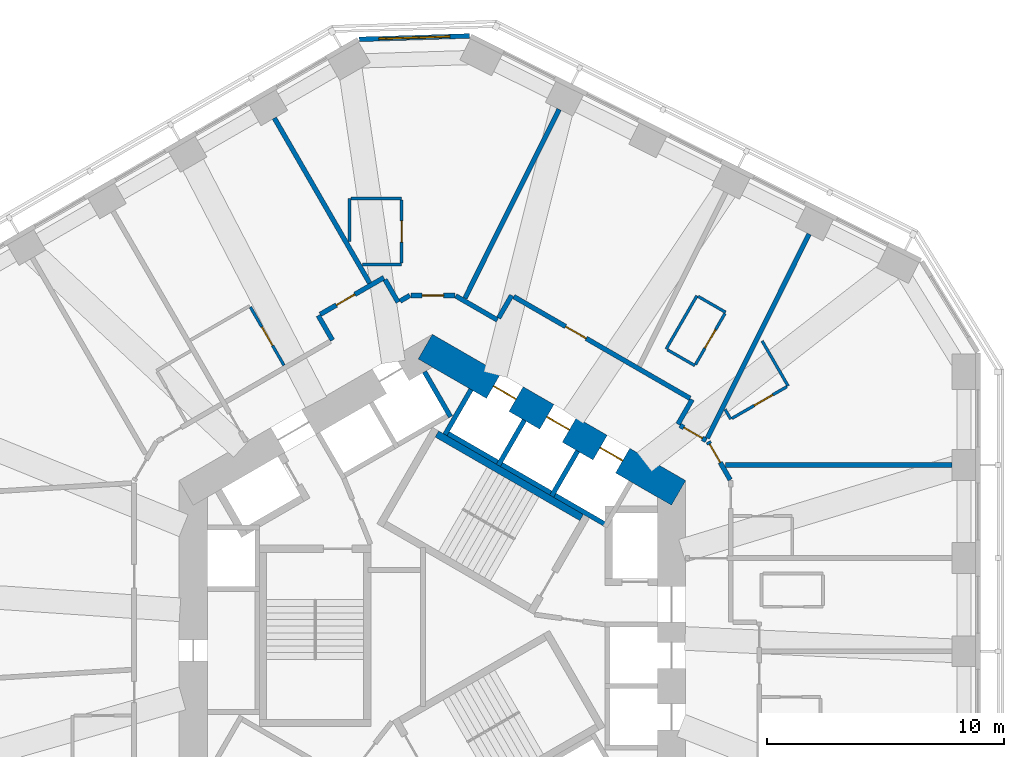
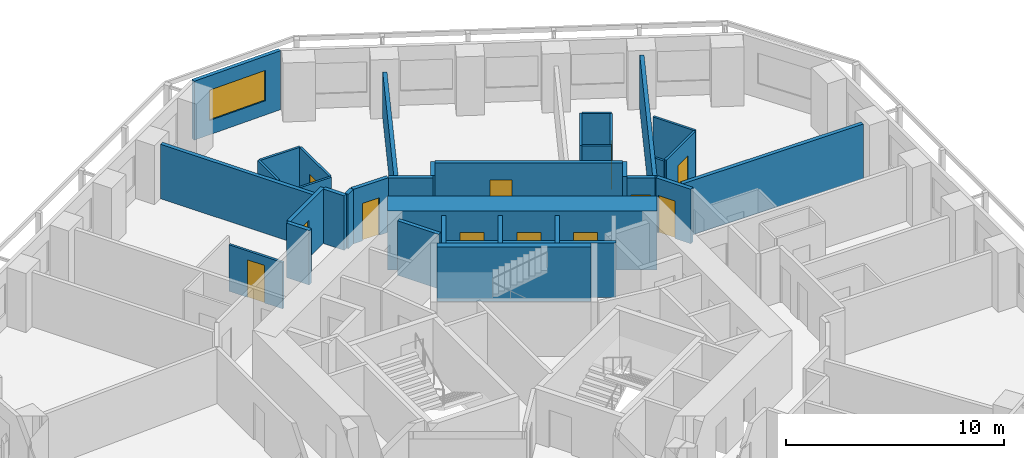
# One storey, part 8 of 12: 35 walls, 12 doors, 1 window, 13 openings.
"""IFC4 building model written with IfcOpenShell, lengths in metres."""

from ifc_helpers import new_model, si_unit, direction, frame, frame_2d, origin, place, context, subcontext, project, spatial, rectangle, extrude, material, layer, layer_set, type_object, element, fill, save


model = new_model("IFC4")

# Units and contexts
model_context = context("Model", 3, precision=1e-05, world=origin(), true_north=direction((0.0, 1.0)))
body_context = subcontext(model_context, "Body", "Model", "MODEL_VIEW")
ifc_project = project(units=[si_unit("LENGTHUNIT", "METRE"), si_unit("AREAUNIT", "SQUARE_METRE"), si_unit("VOLUMEUNIT", "CUBIC_METRE"), si_unit("PLANEANGLEUNIT", "RADIAN"), si_unit("MASSUNIT", "GRAM", prefix="KILO")], contexts=[model_context])

# Site, building, storey
site_placement = place(None, origin())
site = spatial("IfcSite", under=ifc_project, at=site_placement, CompositionType="ELEMENT")
building_placement = place(site_placement, origin())
building = spatial("IfcBuilding", under=site, at=building_placement, Name="Vanh Sen Convention Tower", CompositionType="ELEMENT")
storey_placement = place(building_placement, frame((0.0, 0.0, 50.60009765625)))
storey = spatial("IfcBuildingStorey", under=building, at=storey_placement, Name="L09", CompositionType="ELEMENT", Elevation=50.60009765625)

# Wall, opening, door
ifc_material_1 = material(Name="Moisture-resistant gypsum board on steel studs", Category="steel")
ifc_layer_1 = layer(ifc_material_1, 0.1201171875)
ifc_layer_set_1 = layer_set([ifc_layer_1], Name="Moisture-resistant gypsum board on steel studs")
wall_type_1 = type_object("IfcWallType", Name="Bathroom partition 120", PredefinedType="PARTITIONING", material=ifc_layer_set_1)
wall_1_placement = place(storey_placement, frame((-7.687255859375, 13.505615234375, 0.0), z_axis=(0.0, 0.0, 1.0), x_axis=(0.499985389037, -0.866033839264, 0.0)))
wall_1 = element("IfcWall", 1, at=wall_1_placement, inside=storey, type_object=wall_type_1, Name="Bathroom partition 120", PredefinedType="PARTITIONING", context=body_context, shape_type="SweptSolid", body=[
    extrude(rectangle(XDim=2.83984375, YDim=0.1201171875, at=frame_2d((1.419921875, 0.0))), origin(), (0.0, 0.0, 1.0), 2.599853515625),
])
opening_1_placement = place(wall_1_placement, frame((0.969970703125, 0.0, 0.0)))
opening_1 = element("IfcOpeningElement", 2, at=opening_1_placement, cuts=wall_1, Name="Opening D07115", PredefinedType="OPENING", context=body_context, shape_type="SweptSolid", body=[
    extrude(rectangle(XDim=0.89990234375, YDim=2.10009765625, at=frame_2d((0.449951171875, 1.050048828125))), frame((0.0, 0.070068359375, 0.0), z_axis=(0.0, -1.0, 0.0), x_axis=(1.0, 0.0, 0.0)), (0.0, 0.0, 1.0), 0.14013671875),
])
ifc_material_2 = material(Name="Laminate door in steel frame", Category="steel")
door_type_1 = type_object("IfcDoorType", Name="En-suite door 900", OperationType="SINGLE_SWING_LEFT", PredefinedType="DOOR", material=ifc_material_2)
door_1_placement = place(opening_1_placement, origin())
door_1 = element("IfcDoor", 3, at=door_1_placement, inside=storey, type_object=door_type_1, Name="En-suite door D07115", OperationType="SINGLE_SWING_LEFT", OverallHeight=2.10009765625, OverallWidth=0.89990234375, PredefinedType="DOOR", context=body_context, shape_type="SweptSolid", body=[
    extrude(rectangle(XDim=0.89990234375, YDim=2.10009765625, at=frame_2d((0.449951171875, 1.050048828125))), frame((0.0, 0.02490234375, 0.0), z_axis=(0.0, -1.0, 0.0), x_axis=(1.0, 0.0, 0.0)), (0.0, 0.0, 1.0), 0.050048828125),
])
fill(opening_1, door_1)

# Walls
wall_2_placement = place(storey_placement, frame((-3.5, 16.271484375, 0.0), z_axis=(0.0, 0.0, 1.0), x_axis=(0.0, 1.0, 0.0)))
element("IfcWall", 4, at=wall_2_placement, inside=storey, type_object=wall_type_1, Name="Bathroom partition 120", PredefinedType="PARTITIONING", context=body_context, shape_type="SweptSolid", body=[
    extrude(rectangle(XDim=1.8291015625, YDim=0.1201171875, at=frame_2d((0.91455078125, 0.0))), origin(), (0.0, 0.0, 1.0), 3.0498046875),
])
wall_3_placement = place(storey_placement, frame((-3.43994140625, 18.1005859375, 0.0), z_axis=(0.0, 0.0, 1.0), x_axis=(1.0, 0.0, 0.0)))
element("IfcWall", 5, at=wall_3_placement, inside=storey, type_object=wall_type_1, Name="Bathroom partition 120", PredefinedType="PARTITIONING", context=body_context, shape_type="SweptSolid", body=[
    extrude(rectangle(XDim=2.139892578125, YDim=0.1201171875, at=frame_2d((1.06982421875, 0.0))), origin(), (0.0, 0.0, 1.0), 3.0498046875),
])
wall_4_placement = place(storey_placement, frame((-1.300048828125, 15.30078125, 0.0), z_axis=(0.0, 0.0, 1.0), x_axis=(-1.0, 0.0, 0.0)))
element("IfcWall", 6, at=wall_4_placement, inside=storey, type_object=wall_type_1, Name="Bathroom partition 120", PredefinedType="PARTITIONING", context=body_context, shape_type="SweptSolid", body=[
    extrude(rectangle(XDim=1.6611328125, YDim=0.1201171875, at=frame_2d((0.83056640625, 0.0))), origin(), (0.0, 0.0, 1.0), 3.0498046875),
])

# Wall, opening, door
wall_5_placement = place(storey_placement, frame((-1.300048828125, 18.040771484375, 0.0), z_axis=(0.0, 0.0, 1.0), x_axis=(0.0, -1.0, 0.0)))
wall_5 = element("IfcWall", 7, at=wall_5_placement, inside=storey, type_object=wall_type_1, Name="Bathroom partition 120", PredefinedType="PARTITIONING", context=body_context, shape_type="SweptSolid", body=[
    extrude(rectangle(XDim=2.68017578125, YDim=0.1201171875, at=frame_2d((1.340087890625, 0.0))), origin(), (0.0, 0.0, 1.0), 3.0498046875),
])
opening_2_placement = place(wall_5_placement, frame((0.889892578125, 0.0, 0.0)))
opening_2 = element("IfcOpeningElement", 8, at=opening_2_placement, cuts=wall_5, Name="Opening D07113", PredefinedType="OPENING", context=body_context, shape_type="SweptSolid", body=[
    extrude(rectangle(XDim=0.89990234375, YDim=2.10009765625, at=frame_2d((0.449951171875, 1.050048828125))), frame((0.0, 0.070068359375, 0.0), z_axis=(0.0, -1.0, 0.0), x_axis=(1.0, 0.0, 0.0)), (0.0, 0.0, 1.0), 0.14013671875),
])
door_2_placement = place(opening_2_placement, origin())
door_2 = element("IfcDoor", 9, at=door_2_placement, inside=storey, type_object=door_type_1, Name="En-suite door D07113", OperationType="SINGLE_SWING_LEFT", OverallHeight=2.10009765625, OverallWidth=0.89990234375, PredefinedType="DOOR", context=body_context, shape_type="SweptSolid", body=[
    extrude(rectangle(XDim=0.89990234375, YDim=2.10009765625, at=frame_2d((0.449951171875, 1.050048828125))), frame((0.0, 0.02490234375, 0.0), z_axis=(0.0, -1.0, 0.0), x_axis=(1.0, 0.0, 0.0)), (0.0, 0.0, 1.0), 0.050048828125),
])
fill(opening_2, door_2)

# Walls
wall_6_placement = place(storey_placement, frame((9.87451171875, 11.736083984375, 0.0), z_axis=(0.0, 0.0, 1.0), x_axis=(0.499936506574, 0.866062058628, 0.0)))
element("IfcWall", 10, at=wall_6_placement, inside=storey, type_object=wall_type_1, Name="Bathroom partition 120", PredefinedType="PARTITIONING", context=body_context, shape_type="SweptSolid", body=[
    extrude(rectangle(XDim=2.599853515625, YDim=0.1201171875, at=frame_2d((1.2998046875, 0.0))), origin(), (0.0, 0.0, 1.0), 3.0498046875),
])
for number, where, z_axis, x_axis, name in (
    (11, (11.0869140625, 11.0361328125, 0.0), (0.0, 0.0, 1.0), (-0.866036909293, 0.499980071345, 0.0), "Bathroom partition 120"),
    (12, (11.226318359375, 13.957763671875, 0.0), (0.0, 0.0, 1.0), (0.866036909293, -0.499980071345, 0.0), "Bathroom partition 120"),
):
    element("IfcWall", number, at=place(storey_placement, frame(where, z_axis=z_axis, x_axis=x_axis)), inside=storey, type_object=wall_type_1, Name=name, PredefinedType="PARTITIONING", context=body_context, shape_type="SweptSolid", body=[
        extrude(rectangle(XDim=1.33984375, YDim=0.1201171875, at=frame_2d((0.669921875, 0.0))), origin(), (0.0, 0.0, 1.0), 3.0498046875),
    ])

# Wall, opening, door
wall_7_placement = place(storey_placement, frame((12.356689453125, 13.23583984375, 0.0), z_axis=(0.0, 0.0, 1.0), x_axis=(-0.50000366821, -0.866023285932, 0.0)))
wall_7 = element("IfcWall", 13, at=wall_7_placement, inside=storey, type_object=wall_type_1, Name="Bathroom partition 120", PredefinedType="PARTITIONING", context=body_context, shape_type="SweptSolid", body=[
    extrude(rectangle(XDim=2.47998046875, YDim=0.1201171875, at=frame_2d((1.239990234375, 0.0))), origin(), (0.0, 0.0, 1.0), 3.0498046875),
])
opening_3_placement = place(wall_7_placement, frame((0.7900390625, 0.0, 0.0)))
opening_3 = element("IfcOpeningElement", 14, at=opening_3_placement, cuts=wall_7, Name="Opening D07110", PredefinedType="OPENING", context=body_context, shape_type="SweptSolid", body=[
    extrude(rectangle(XDim=0.89990234375, YDim=2.10009765625, at=frame_2d((0.449951171875, 1.050048828125))), frame((0.0, 0.070068359375, 0.0), z_axis=(0.0, -1.0, 0.0), x_axis=(1.0, 0.0, 0.0)), (0.0, 0.0, 1.0), 0.14013671875),
])
door_3_placement = place(opening_3_placement, origin())
door_3 = element("IfcDoor", 15, at=door_3_placement, inside=storey, type_object=door_type_1, Name="En-suite door D07110", OperationType="SINGLE_SWING_LEFT", OverallHeight=2.10009765625, OverallWidth=0.89990234375, PredefinedType="DOOR", context=body_context, shape_type="SweptSolid", body=[
    extrude(rectangle(XDim=0.89990234375, YDim=2.10009765625, at=frame_2d((0.449951171875, 1.050048828125))), frame((0.0, 0.02490234375, 0.0), z_axis=(0.0, -1.0, 0.0), x_axis=(1.0, 0.0, 0.0)), (0.0, 0.0, 1.0), 0.050048828125),
])
fill(opening_3, door_3)

# Walls
wall_8_placement = place(storey_placement, frame((12.600830078125, 8.776123046875, 0.0), z_axis=(0.0, 0.0, 1.0), x_axis=(-0.500166486798, 0.865929261247, 0.0)))
element("IfcWall", 16, at=wall_8_placement, inside=storey, type_object=wall_type_1, Name="Bathroom partition 120", PredefinedType="PARTITIONING", context=body_context, shape_type="SweptSolid", body=[
    extrude(rectangle(XDim=0.475830078125, YDim=0.1201171875, at=frame_2d((0.23779296875, 0.0))), origin(), (0.0, 0.0, 1.0), 3.0498046875),
])
wall_9_placement = place(storey_placement, frame((13.92578125, 12.081298828125, 0.0), z_axis=(0.0, 0.0, 1.0), x_axis=(0.499994660107, -0.866028486751, 0.0)))
element("IfcWall", 17, at=wall_9_placement, inside=storey, type_object=wall_type_1, Name="Bathroom partition 120", PredefinedType="PARTITIONING", context=body_context, shape_type="SweptSolid", body=[
    extrude(rectangle(XDim=2.19970703125, YDim=0.1201171875, at=frame_2d((1.099853515625, 0.0))), origin(), (0.0, 0.0, 1.0), 3.0498046875),
])

# Wall, opening, door
wall_10_placement = place(storey_placement, frame((14.9736328125, 10.146240234375, 0.0), z_axis=(0.0, 0.0, 1.0), x_axis=(-0.86599746015, -0.500048396672, 0.0)))
wall_10 = element("IfcWall", 18, at=wall_10_placement, inside=storey, type_object=wall_type_1, Name="Bathroom partition 120", PredefinedType="PARTITIONING", context=body_context, shape_type="SweptSolid", body=[
    extrude(rectangle(XDim=2.679931640625, YDim=0.1201171875, at=frame_2d((1.33984375, 0.0))), origin(), (0.0, 0.0, 1.0), 3.0498046875),
])
opening_4_placement = place(wall_10_placement, frame((0.68994140625, 0.0, 0.0)))
opening_4 = element("IfcOpeningElement", 19, at=opening_4_placement, cuts=wall_10, Name="Opening D07108", PredefinedType="OPENING", context=body_context, shape_type="SweptSolid", body=[
    extrude(rectangle(XDim=0.89990234375, YDim=2.10009765625, at=frame_2d((0.449951171875, 1.050048828125))), frame((0.0, 0.070068359375, 0.0), z_axis=(0.0, -1.0, 0.0), x_axis=(1.0, 0.0, 0.0)), (0.0, 0.0, 1.0), 0.14013671875),
])
door_4_placement = place(opening_4_placement, origin())
door_4 = element("IfcDoor", 20, at=door_4_placement, inside=storey, type_object=door_type_1, Name="En-suite door D07108", OperationType="SINGLE_SWING_LEFT", OverallHeight=2.10009765625, OverallWidth=0.89990234375, PredefinedType="DOOR", context=body_context, shape_type="SweptSolid", body=[
    extrude(rectangle(XDim=0.89990234375, YDim=2.10009765625, at=frame_2d((0.449951171875, 1.050048828125))), frame((0.0, 0.02490234375, 0.0), z_axis=(0.0, -1.0, 0.0), x_axis=(1.0, 0.0, 0.0)), (0.0, 0.0, 1.0), 0.050048828125),
])
fill(opening_4, door_4)

# Wall, openings, doors
ifc_material_3 = material(Name="Concrete C80/95", Category="concrete")
ifc_layer_2 = layer(ifc_material_3, 1.199951171875)
ifc_layer_set_2 = layer_set([ifc_layer_2], Name="Concrete C80/95")
wall_type_2 = type_object("IfcWallType", Name="Core outer wall 1200 C80/95", PredefinedType="SHEAR", material=ifc_layer_set_2)
wall_11_placement = place(storey_placement, frame((10.39990234375, 5.657958984375, 0.0), z_axis=(0.0, 0.0, 1.0), x_axis=(-0.866021384402, 0.500006961711, 0.0)))
wall_11 = element("IfcWall", 21, at=wall_11_placement, inside=storey, type_object=wall_type_2, Name="Core wall face NE L09", PredefinedType="SHEAR", context=body_context, shape_type="SweptSolid", body=[
    extrude(rectangle(XDim=12.355224609375, YDim=1.199951171875, at=frame_2d((6.177734375, 0.0))), origin(), (0.0, 0.0, 1.0), 3.2998046875),
])
opening_5_placement = place(wall_11_placement, frame((2.727783203125, 0.0, 0.0)))
opening_5 = element("IfcOpeningElement", 22, at=opening_5_placement, cuts=wall_11, Name="Opening LD-LR3", PredefinedType="OPENING", context=body_context, shape_type="SweptSolid", body=[
    extrude(rectangle(XDim=1.10009765625, YDim=2.10009765625, at=frame_2d((0.550048828125, 1.050048828125))), frame((0.0, 0.60986328125, 0.0), z_axis=(0.0, -1.0, 0.0), x_axis=(1.0, 0.0, 0.0)), (0.0, 0.0, 1.0), 1.219970703125),
])
opening_6_placement = place(wall_11_placement, frame((5.32763671875, 0.0, 0.0)))
opening_6 = element("IfcOpeningElement", 23, at=opening_6_placement, cuts=wall_11, Name="Opening LD-LR4", PredefinedType="OPENING", context=body_context, shape_type="SweptSolid", body=[
    extrude(rectangle(XDim=1.10009765625, YDim=2.10009765625, at=frame_2d((0.550048828125, 1.050048828125))), frame((0.0, 0.60986328125, 0.0), z_axis=(0.0, -1.0, 0.0), x_axis=(1.0, 0.0, 0.0)), (0.0, 0.0, 1.0), 1.219970703125),
])
opening_7_placement = place(wall_11_placement, frame((7.927734375, 0.0, 0.0)))
opening_7 = element("IfcOpeningElement", 24, at=opening_7_placement, cuts=wall_11, Name="Opening LD-LR5", PredefinedType="OPENING", context=body_context, shape_type="SweptSolid", body=[
    extrude(rectangle(XDim=1.10009765625, YDim=2.10009765625, at=frame_2d((0.550048828125, 1.050048828125))), frame((0.0, 0.60986328125, 0.0), z_axis=(0.0, -1.0, 0.0), x_axis=(1.0, 0.0, 0.0)), (0.0, 0.0, 1.0), 1.219970703125),
])
ifc_material_4 = material(Name="Stainless steel", Category="steel")
door_type_2 = type_object("IfcDoorType", Name="Lift landing door 1100", OperationType="DOUBLE_DOOR_SLIDING", PredefinedType="DOOR", material=ifc_material_4)
door_5_placement = place(opening_5_placement, origin())
door_5 = element("IfcDoor", 25, at=door_5_placement, inside=storey, type_object=door_type_2, Name="Lift LR3 landing door LD-LR3", OperationType="DOUBLE_DOOR_SLIDING", OverallHeight=2.10009765625, OverallWidth=1.10009765625, PredefinedType="DOOR", context=body_context, shape_type="SweptSolid", body=[
    extrude(rectangle(XDim=1.10009765625, YDim=2.10009765625, at=frame_2d((0.550048828125, 1.050048828125))), frame((0.0, 0.02490234375, 0.0), z_axis=(0.0, -1.0, 0.0), x_axis=(1.0, 0.0, 0.0)), (0.0, 0.0, 1.0), 0.050048828125),
])
fill(opening_5, door_5)
door_6_placement = place(opening_6_placement, origin())
door_6 = element("IfcDoor", 26, at=door_6_placement, inside=storey, type_object=door_type_2, Name="Lift LR4 landing door LD-LR4", OperationType="DOUBLE_DOOR_SLIDING", OverallHeight=2.10009765625, OverallWidth=1.10009765625, PredefinedType="DOOR", context=body_context, shape_type="SweptSolid", body=[
    extrude(rectangle(XDim=1.10009765625, YDim=2.10009765625, at=frame_2d((0.550048828125, 1.050048828125))), frame((0.0, 0.02490234375, 0.0), z_axis=(0.0, -1.0, 0.0), x_axis=(1.0, 0.0, 0.0)), (0.0, 0.0, 1.0), 0.050048828125),
])
fill(opening_6, door_6)
door_7_placement = place(opening_7_placement, origin())
door_7 = element("IfcDoor", 27, at=door_7_placement, inside=storey, type_object=door_type_2, Name="Lift LR5 landing door LD-LR5", OperationType="DOUBLE_DOOR_SLIDING", OverallHeight=2.10009765625, OverallWidth=1.10009765625, PredefinedType="DOOR", context=body_context, shape_type="SweptSolid", body=[
    extrude(rectangle(XDim=1.10009765625, YDim=2.10009765625, at=frame_2d((0.550048828125, 1.050048828125))), frame((0.0, 0.02490234375, 0.0), z_axis=(0.0, -1.0, 0.0), x_axis=(1.0, 0.0, 0.0)), (0.0, 0.0, 1.0), 0.050048828125),
])
fill(opening_7, door_7)

# Wall
ifc_material_5 = material(Name="Gypsum board on steel studs with mineral wool", Category="steel")
ifc_layer_3 = layer(ifc_material_5, 0.199951171875)
ifc_layer_set_3 = layer_set([ifc_layer_3], Name="Gypsum board on steel studs with mineral wool")
wall_type_3 = type_object("IfcWallType", Name="Corridor partition wall 200", PredefinedType="PARTITIONING", material=ifc_layer_set_3)
wall_12_placement = place(storey_placement, frame((-4.822998046875, 13.151611328125, 0.0), z_axis=(0.0, 0.0, 1.0), x_axis=(0.499986357472, -0.866033280158, 0.0)))
element("IfcWall", 28, at=wall_12_placement, inside=storey, type_object=wall_type_3, Name="Corridor partition wall 200", PredefinedType="PARTITIONING", context=body_context, shape_type="SweptSolid", body=[
    extrude(rectangle(XDim=1.201171875, YDim=0.199951171875, at=frame_2d((0.6005859375, 0.0))), origin(), (0.0, 0.0, 1.0), 3.0498046875),
])

# Wall, opening, door
wall_13_placement = place(storey_placement, frame((-2.0498046875, 14.75244140625, 0.0), z_axis=(0.0, 0.0, 1.0), x_axis=(-0.866030936828, -0.499990416364, 0.0)))
wall_13 = element("IfcWall", 29, at=wall_13_placement, inside=storey, type_object=wall_type_3, Name="Corridor partition wall 200", PredefinedType="PARTITIONING", context=body_context, shape_type="SweptSolid", body=[
    extrude(rectangle(XDim=3.10205078125, YDim=0.199951171875, at=frame_2d((1.551025390625, 0.0))), origin(), (0.0, 0.0, 1.0), 3.0498046875),
])
opening_8_placement = place(wall_13_placement, frame((1.419189453125, 0.0, 0.0)))
opening_8 = element("IfcOpeningElement", 30, at=opening_8_placement, cuts=wall_13, Name="Opening D07114", PredefinedType="OPENING", context=body_context, shape_type="SweptSolid", body=[
    extrude(rectangle(XDim=0.89990234375, YDim=2.10009765625, at=frame_2d((0.449951171875, 1.050048828125))), frame((0.0, 0.10986328125, 0.0), z_axis=(0.0, -1.0, 0.0), x_axis=(1.0, 0.0, 0.0)), (0.0, 0.0, 1.0), 0.219970703125),
])
ifc_material_6 = material(Name="Timber fire door in steel frame", Category="steel")
door_type_3 = type_object("IfcDoorType", Name="Guest room door 900", OperationType="SINGLE_SWING_LEFT", PredefinedType="DOOR", material=ifc_material_6)
door_8_placement = place(opening_8_placement, origin())
door_8 = element("IfcDoor", 31, at=door_8_placement, inside=storey, type_object=door_type_3, Name="Hotel guest room door D07114", OperationType="SINGLE_SWING_LEFT", OverallHeight=2.10009765625, OverallWidth=0.89990234375, PredefinedType="DOOR", context=body_context, shape_type="SweptSolid", body=[
    extrude(rectangle(XDim=0.89990234375, YDim=2.10009765625, at=frame_2d((0.449951171875, 1.050048828125))), frame((0.0, 0.02490234375, 0.0), z_axis=(0.0, -1.0, 0.0), x_axis=(1.0, 0.0, 0.0)), (0.0, 0.0, 1.0), 0.050048828125),
])
fill(opening_8, door_8)

# Walls
wall_14_placement = place(storey_placement, frame((-1.449462890625, 13.71240234375, 0.0), z_axis=(0.0, 0.0, 1.0), x_axis=(-0.499978356969, 0.866037899034, 0.0)))
element("IfcWall", 32, at=wall_14_placement, inside=storey, type_object=wall_type_3, Name="Corridor partition wall 200", PredefinedType="PARTITIONING", context=body_context, shape_type="SweptSolid", body=[
    extrude(rectangle(XDim=1.10107421875, YDim=0.199951171875, at=frame_2d((0.550537109375, 0.0))), origin(), (0.0, 0.0, 1.0), 3.0498046875),
])
wall_15_placement = place(storey_placement, frame((-0.949951171875, 14.000732421875, 0.0), z_axis=(0.0, 0.0, 1.0), x_axis=(-0.86609177584, -0.499885022602, 0.0)))
element("IfcWall", 33, at=wall_15_placement, inside=storey, type_object=wall_type_3, Name="Corridor partition wall 200", PredefinedType="PARTITIONING", context=body_context, shape_type="SweptSolid", body=[
    extrude(rectangle(XDim=0.4765625, YDim=0.199951171875, at=frame_2d((0.23828125, 0.0))), origin(), (0.0, 0.0, 1.0), 3.0498046875),
])

# Wall, opening, door
wall_16_placement = place(storey_placement, frame((0.949951171875, 14.000732421875, 0.0), z_axis=(0.0, 0.0, 1.0), x_axis=(-1.0, 0.0, 0.0)))
wall_16 = element("IfcWall", 34, at=wall_16_placement, inside=storey, type_object=wall_type_3, Name="Corridor partition wall 200", PredefinedType="PARTITIONING", context=body_context, shape_type="SweptSolid", body=[
    extrude(rectangle(XDim=1.85986328125, YDim=0.199951171875, at=frame_2d((0.929931640625, 0.0))), origin(), (0.0, 0.0, 1.0), 3.0498046875),
])
opening_9_placement = place(wall_16_placement, frame((0.47998046875, 0.0, 0.0)))
opening_9 = element("IfcOpeningElement", 35, at=opening_9_placement, cuts=wall_16, Name="Opening D07112", PredefinedType="OPENING", context=body_context, shape_type="SweptSolid", body=[
    extrude(rectangle(XDim=0.89990234375, YDim=2.10009765625, at=frame_2d((0.449951171875, 1.050048828125))), frame((0.0, 0.10986328125, 0.0), z_axis=(0.0, -1.0, 0.0), x_axis=(1.0, 0.0, 0.0)), (0.0, 0.0, 1.0), 0.219970703125),
])
door_9_placement = place(opening_9_placement, origin())
door_9 = element("IfcDoor", 36, at=door_9_placement, inside=storey, type_object=door_type_3, Name="Hotel guest room door D07112", OperationType="SINGLE_SWING_LEFT", OverallHeight=2.10009765625, OverallWidth=0.89990234375, PredefinedType="DOOR", context=body_context, shape_type="SweptSolid", body=[
    extrude(rectangle(XDim=0.89990234375, YDim=2.10009765625, at=frame_2d((0.449951171875, 1.050048828125))), frame((0.0, 0.02490234375, 0.0), z_axis=(0.0, -1.0, 0.0), x_axis=(1.0, 0.0, 0.0)), (0.0, 0.0, 1.0), 0.050048828125),
])
fill(opening_9, door_9)

# Walls
wall_17_placement = place(storey_placement, frame((2.748291015625, 12.96240234375, 0.0), z_axis=(0.0, 0.0, 1.0), x_axis=(-0.866013897511, 0.50001992892, 0.0)))
element("IfcWall", 37, at=wall_17_placement, inside=storey, type_object=wall_type_3, Name="Corridor partition wall 200", PredefinedType="PARTITIONING", context=body_context, shape_type="SweptSolid", body=[
    extrude(rectangle(XDim=2.03662109375, YDim=0.199951171875, at=frame_2d((1.018310546875, 0.0))), origin(), (0.0, 0.0, 1.0), 3.0498046875),
])
wall_18_placement = place(storey_placement, frame((3.348876953125, 14.00244140625, 0.0), z_axis=(0.0, 0.0, 1.0), x_axis=(-0.500074377092, -0.865982457891, 0.0)))
element("IfcWall", 38, at=wall_18_placement, inside=storey, type_object=wall_type_3, Name="Corridor partition wall 200", PredefinedType="PARTITIONING", context=body_context, shape_type="SweptSolid", body=[
    extrude(rectangle(XDim=1.100830078125, YDim=0.199951171875, at=frame_2d((0.55029296875, 0.0))), origin(), (0.0, 0.0, 1.0), 3.0498046875),
])
wall_19_placement = place(storey_placement, frame((10.37109375, 8.561279296875, 0.0), z_axis=(0.0, 0.0, 1.0), x_axis=(0.499986357472, 0.866033280158, 0.0)))
element("IfcWall", 39, at=wall_19_placement, inside=storey, type_object=wall_type_3, Name="Corridor partition wall 200", PredefinedType="PARTITIONING", context=body_context, shape_type="SweptSolid", body=[
    extrude(rectangle(XDim=1.201171875, YDim=0.199951171875, at=frame_2d((0.6005859375, 0.0))), origin(), (0.0, 0.0, 1.0), 3.0498046875),
])

# Wall, opening, door
wall_20_placement = place(storey_placement, frame((10.885009765625, 9.651611328125, 0.0), z_axis=(0.0, 0.0, 1.0), x_axis=(-0.866033868542, 0.499985338323, 0.0)))
wall_20 = element("IfcWall", 40, at=wall_20_placement, inside=storey, type_object=wall_type_3, Name="Corridor partition wall 200", PredefinedType="PARTITIONING", context=body_context, shape_type="SweptSolid", body=[
    extrude(rectangle(XDim=8.601806640625, YDim=0.199951171875, at=frame_2d((4.30078125, 0.0))), origin(), (0.0, 0.0, 1.0), 3.0498046875),
])
opening_10_placement = place(wall_20_placement, frame((5.068603515625, 0.0, 0.0)))
opening_10 = element("IfcOpeningElement", 41, at=opening_10_placement, cuts=wall_20, Name="Opening D07111", PredefinedType="OPENING", context=body_context, shape_type="SweptSolid", body=[
    extrude(rectangle(XDim=1.0, YDim=2.10009765625, at=frame_2d((0.5, 1.050048828125))), frame((0.0, 0.10986328125, 0.0), z_axis=(0.0, -1.0, 0.0), x_axis=(1.0, 0.0, 0.0)), (0.0, 0.0, 1.0), 0.219970703125),
])
door_type_4 = type_object("IfcDoorType", Name="Floor room door 1000", OperationType="SINGLE_SWING_LEFT", PredefinedType="DOOR", material=ifc_material_6)
door_10_placement = place(opening_10_placement, origin())
door_10 = element("IfcDoor", 42, at=door_10_placement, inside=storey, type_object=door_type_4, Name="Meeting and amenity room door D07111", OperationType="SINGLE_SWING_LEFT", OverallHeight=2.10009765625, OverallWidth=1.0, PredefinedType="DOOR", context=body_context, shape_type="SweptSolid", body=[
    extrude(rectangle(XDim=1.0, YDim=2.10009765625, at=frame_2d((0.5, 1.050048828125))), frame((0.0, 0.02490234375, 0.0), z_axis=(0.0, -1.0, 0.0), x_axis=(1.0, 0.0, 0.0)), (0.0, 0.0, 1.0), 0.050048828125),
])
fill(opening_10, door_10)

wall_21_placement = place(storey_placement, frame((11.56640625, 7.871337890625, 0.0), z_axis=(0.0, 0.0, 1.0), x_axis=(-0.866004557827, 0.500036104519, 0.0)))
wall_21 = element("IfcWall", 43, at=wall_21_placement, inside=storey, type_object=wall_type_3, Name="Corridor partition wall 200", PredefinedType="PARTITIONING", context=body_context, shape_type="SweptSolid", body=[
    extrude(rectangle(XDim=1.2802734375, YDim=0.199951171875, at=frame_2d((0.64013671875, 0.0))), origin(), (0.0, 0.0, 1.0), 3.0498046875),
])
opening_11_placement = place(wall_21_placement, frame((0.190185546875, 0.0, 0.0)))
opening_11 = element("IfcOpeningElement", 44, at=opening_11_placement, cuts=wall_21, Name="Opening D07109", PredefinedType="OPENING", context=body_context, shape_type="SweptSolid", body=[
    extrude(rectangle(XDim=0.89990234375, YDim=2.10009765625, at=frame_2d((0.449951171875, 1.050048828125))), frame((0.0, 0.10986328125, 0.0), z_axis=(0.0, -1.0, 0.0), x_axis=(1.0, 0.0, 0.0)), (0.0, 0.0, 1.0), 0.219970703125),
])
door_11_placement = place(opening_11_placement, origin())
door_11 = element("IfcDoor", 45, at=door_11_placement, inside=storey, type_object=door_type_3, Name="Hotel guest room door D07109", OperationType="SINGLE_SWING_LEFT", OverallHeight=2.10009765625, OverallWidth=0.89990234375, PredefinedType="DOOR", context=body_context, shape_type="SweptSolid", body=[
    extrude(rectangle(XDim=0.89990234375, YDim=2.10009765625, at=frame_2d((0.449951171875, 1.050048828125))), frame((0.0, 0.02490234375, 0.0), z_axis=(0.0, -1.0, 0.0), x_axis=(1.0, 0.0, 0.0)), (0.0, 0.0, 1.0), 0.050048828125),
])
fill(opening_11, door_11)

wall_22_placement = place(storey_placement, frame((12.580078125, 6.212158203125, 0.0), z_axis=(0.0, 0.0, 1.0), x_axis=(-0.500063286585, 0.865988862174, 0.0)))
wall_22 = element("IfcWall", 46, at=wall_22_placement, inside=storey, type_object=wall_type_3, Name="Corridor partition wall 200", PredefinedType="PARTITIONING", context=body_context, shape_type="SweptSolid", body=[
    extrude(rectangle(XDim=1.860107421875, YDim=0.199951171875, at=frame_2d((0.93017578125, 0.0))), origin(), (0.0, 0.0, 1.0), 3.0498046875),
])
opening_12_placement = place(wall_22_placement, frame((0.841796875, 0.0, 0.0)))
opening_12 = element("IfcOpeningElement", 47, at=opening_12_placement, cuts=wall_22, Name="Opening D07107", PredefinedType="OPENING", context=body_context, shape_type="SweptSolid", body=[
    extrude(rectangle(XDim=0.89990234375, YDim=2.10009765625, at=frame_2d((0.449951171875, 1.050048828125))), frame((0.0, 0.10986328125, 0.0), z_axis=(0.0, -1.0, 0.0), x_axis=(1.0, 0.0, 0.0)), (0.0, 0.0, 1.0), 0.219970703125),
])
door_12_placement = place(opening_12_placement, origin())
door_12 = element("IfcDoor", 48, at=door_12_placement, inside=storey, type_object=door_type_3, Name="Hotel guest room door D07107", OperationType="SINGLE_SWING_LEFT", OverallHeight=2.10009765625, OverallWidth=0.89990234375, PredefinedType="DOOR", context=body_context, shape_type="SweptSolid", body=[
    extrude(rectangle(XDim=0.89990234375, YDim=2.10009765625, at=frame_2d((0.449951171875, 1.050048828125))), frame((0.0, 0.02490234375, 0.0), z_axis=(0.0, -1.0, 0.0), x_axis=(1.0, 0.0, 0.0)), (0.0, 0.0, 1.0), 0.050048828125),
])
fill(opening_12, door_12)

# Wall, opening, window
ifc_material_7 = material(Name="Insulated lightweight infill wall")
ifc_layer_4 = layer(ifc_material_7, 0.199951171875)
ifc_layer_set_4 = layer_set([ifc_layer_4], Name="Insulated lightweight infill wall")
wall_type_4 = type_object("IfcWallType", Name="External wall 200", PredefinedType="STANDARD", material=ifc_layer_set_4)
wall_23_placement = place(storey_placement, frame((1.568359375, 24.9609375, 0.0), z_axis=(0.0, 0.0, 1.0), x_axis=(-0.999533359013, -0.030546099927, 0.0)))
wall_23 = element("IfcWall", 49, at=wall_23_placement, inside=storey, type_object=wall_type_4, Name="External wall CH2 L09", PredefinedType="STANDARD", context=body_context, shape_type="SweptSolid", body=[
    extrude(rectangle(XDim=4.65966796875, YDim=0.199951171875, at=frame_2d((2.329833984375, 0.0))), origin(), (0.0, 0.0, 1.0), 3.2998046875),
])
opening_13_placement = place(wall_23_placement, frame((0.829833984375, 0.0, 0.800048828125)))
opening_13 = element("IfcOpeningElement", 50, at=opening_13_placement, cuts=wall_23, Name="Opening WH2-CH21", PredefinedType="OPENING", context=body_context, shape_type="SweptSolid", body=[
    extrude(rectangle(XDim=3.0, YDim=1.699951171875, at=frame_2d((1.5, 0.85009765625))), frame((0.0, 0.10986328125, 0.0), z_axis=(0.0, -1.0, 0.0), x_axis=(1.0, 0.0, 0.0)), (0.0, 0.0, 1.0), 0.219970703125),
])
ifc_material_8 = material(Name="Aluminium frame with clear low-emissivity glass", Category="aluminium")
window_type = type_object("IfcWindowType", Name="Hotel window 3000 x 1700", PartitioningType="SINGLE_PANEL", PredefinedType="WINDOW", material=ifc_material_8)
window_placement = place(opening_13_placement, origin())
window = element("IfcWindow", 51, at=window_placement, inside=storey, type_object=window_type, Name="Window WH2-CH21", OverallHeight=1.699951171875, OverallWidth=3.0, PartitioningType="SINGLE_PANEL", PredefinedType="WINDOW", context=body_context, shape_type="SweptSolid", body=[
    extrude(rectangle(XDim=3.0, YDim=1.699951171875, at=frame_2d((1.5, 0.85009765625))), frame((0.0, 0.030029296875, 0.0), z_axis=(0.0, -1.0, 0.0), x_axis=(1.0, 0.0, 0.0)), (0.0, 0.0, 1.0), 0.06005859375),
])
fill(opening_13, window)

# Walls
ifc_layer_5 = layer(ifc_material_5, 0.199951171875)
ifc_layer_set_5 = layer_set([ifc_layer_5], Name="Gypsum board on steel studs with mineral wool")
wall_type_5 = type_object("IfcWallType", Name="Hotel party wall 200", PredefinedType="PARTITIONING", material=ifc_layer_set_5)
wall_24_placement = place(storey_placement, frame((-6.675537109375, 21.49169921875, 0.0), z_axis=(0.0, 0.0, 1.0), x_axis=(0.500011263043, -0.866018900966, 0.0)))
element("IfcWall", 52, at=wall_24_placement, inside=storey, type_object=wall_type_5, Name="Hotel party wall 200", PredefinedType="PARTITIONING", context=body_context, shape_type="SweptSolid", body=[
    extrude(rectangle(XDim=8.049072265625, YDim=0.199951171875, at=frame_2d((4.0244140625, 0.0))), origin(), (0.0, 0.0, 1.0), 3.0498046875),
])
wall_25_placement = place(storey_placement, frame((5.35107421875, 21.859130859375, 0.0), z_axis=(0.0, 0.0, 1.0), x_axis=(-0.446205309328, -0.894930624086, 0.0)))
element("IfcWall", 53, at=wall_25_placement, inside=storey, type_object=wall_type_5, Name="Hotel party wall 200", PredefinedType="PARTITIONING", context=body_context, shape_type="SweptSolid", body=[
    extrude(rectangle(XDim=8.9130859375, YDim=0.199951171875, at=frame_2d((4.45654296875, 0.0))), origin(), (0.0, 0.0, 1.0), 2.599853515625),
])
wall_26_placement = place(storey_placement, frame((15.91455078125, 16.59228515625, 0.0), z_axis=(0.0, 0.0, 1.0), x_axis=(-0.446199736347, -0.894933402709, 0.0)))
element("IfcWall", 54, at=wall_26_placement, inside=storey, type_object=wall_type_5, Name="Hotel party wall 200", PredefinedType="PARTITIONING", context=body_context, shape_type="SweptSolid", body=[
    extrude(rectangle(XDim=9.634765625, YDim=0.199951171875, at=frame_2d((4.8173828125, 0.0))), origin(), (0.0, 0.0, 1.0), 3.0498046875),
])
wall_27_placement = place(storey_placement, frame((21.949951171875, 6.839111328125, 0.0), z_axis=(0.0, 0.0, 1.0), x_axis=(-1.0, 0.0, 0.0)))
element("IfcWall", 55, at=wall_27_placement, inside=storey, type_object=wall_type_5, Name="Hotel party wall 200", PredefinedType="PARTITIONING", context=body_context, shape_type="SweptSolid", body=[
    extrude(rectangle(XDim=9.57177734375, YDim=0.199951171875, at=frame_2d((4.785888671875, 0.0))), origin(), (0.0, 0.0, 1.0), 3.0498046875),
])
ifc_material_9 = material(Name="Concrete C40/50", Category="concrete")
ifc_layer_6 = layer(ifc_material_9, 0.199951171875)
ifc_layer_set_6 = layer_set([ifc_layer_6], Name="Concrete C40/50")
wall_type_6 = type_object("IfcWallType", Name="Lift shaft wall 200", PredefinedType="PARTITIONING", material=ifc_layer_set_6)
wall_28_placement = place(storey_placement, frame((7.423828125, 4.258544921875, 0.0), z_axis=(0.0, 0.0, 1.0), x_axis=(-0.866026010844, 0.49999894854, 0.0)))
element("IfcWall", 56, at=wall_28_placement, inside=storey, type_object=wall_type_6, Name="Lift shaft wall L09", PredefinedType="PARTITIONING", context=body_context, shape_type="SweptSolid", body=[
    extrude(rectangle(XDim=8.0, YDim=0.199951171875, at=frame_2d((4.0, 0.0))), origin(), (0.0, 0.0, 1.0), 3.0498046875),
])
for number, where, z_axis, x_axis, name in (
    (57, (5.03564453125, 5.52197265625, 0.0), (0.0, 0.0, 1.0), (0.499946605688, 0.86605622881, 0.0), "Lift shaft wall L09"),
    (58, (2.783935546875, 6.822021484375, 0.0), (0.0, 0.0, 1.0), (0.50002983664, 0.866008176907, 0.0), "Lift shaft wall L09"),
    (59, (0.5322265625, 8.1220703125, 0.0), (0.0, 0.0, 1.0), (0.500077893725, 0.86598042715, 0.0), "Lift shaft wall L09"),
):
    element("IfcWall", number, at=place(storey_placement, frame(where, z_axis=z_axis, x_axis=x_axis)), inside=storey, type_object=wall_type_6, Name=name, PredefinedType="PARTITIONING", context=body_context, shape_type="SweptSolid", body=[
        extrude(rectangle(XDim=2.199951171875, YDim=0.199951171875, at=frame_2d((1.10009765625, 0.0))), origin(), (0.0, 0.0, 1.0), 3.0498046875),
    ])
wall_29_placement = place(storey_placement, frame((0.7666015625, 8.8720703125, 0.0), z_axis=(0.0, 0.0, 1.0), x_axis=(-0.499994660107, 0.866028486751, 0.0)))
element("IfcWall", 60, at=wall_29_placement, inside=storey, type_object=wall_type_6, Name="Lift shaft wall L09", PredefinedType="PARTITIONING", context=body_context, shape_type="SweptSolid", body=[
    extrude(rectangle(XDim=2.19970703125, YDim=0.199951171875, at=frame_2d((1.099853515625, 0.0))), origin(), (0.0, 0.0, 1.0), 3.0498046875),
])
ifc_material_10 = material(Name="Concrete C60/75", Category="concrete")
ifc_layer_7 = layer(ifc_material_10, 0.300048828125)
ifc_layer_set_7 = layer_set([ifc_layer_7], Name="Concrete C60/75")
wall_type_7 = type_object("IfcWallType", Name="Stair wall 300", PredefinedType="SHEAR", material=ifc_layer_set_7)
wall_30_placement = place(storey_placement, frame((6.302978515625, 4.6171875, 0.0), z_axis=(0.0, 0.0, 1.0), x_axis=(-0.866027801685, 0.499995846692, 0.0)))
element("IfcWall", 61, at=wall_30_placement, inside=storey, type_object=wall_type_7, Name="Stair wall L09", PredefinedType="SHEAR", context=body_context, shape_type="SweptSolid", body=[
    extrude(rectangle(XDim=7.06005859375, YDim=0.300048828125, at=frame_2d((3.530029296875, 0.0))), origin(), (0.0, 0.0, 1.0), 3.0498046875),
])

save(model, "model.ifc")
